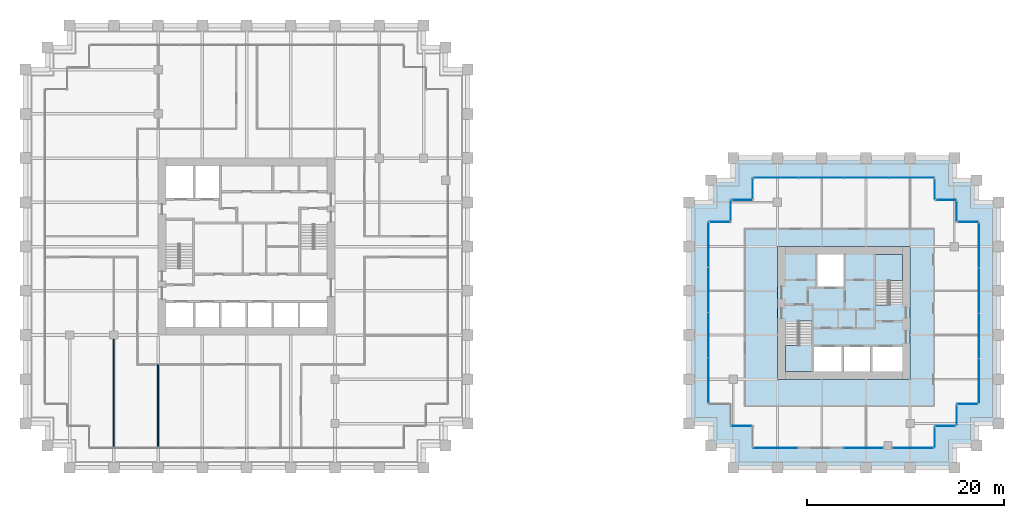
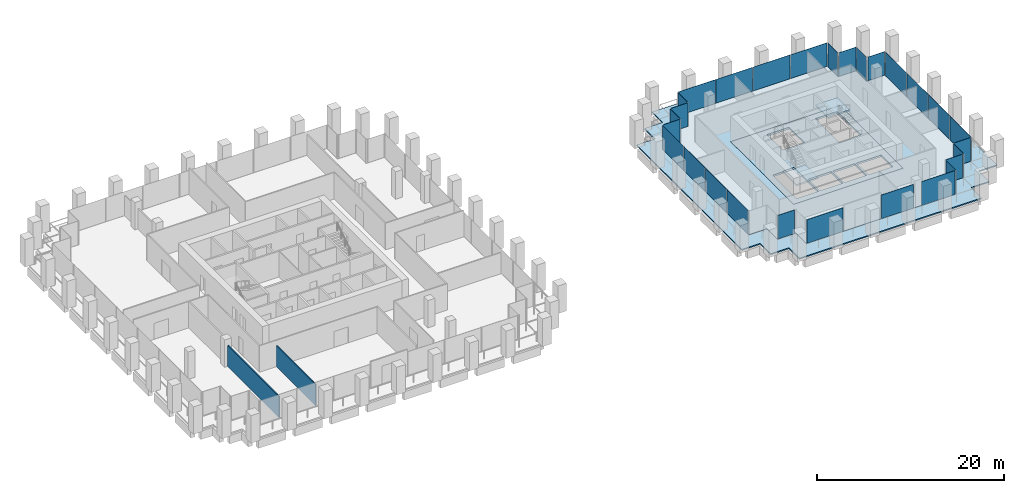
# One storey, part 49 of 54: 28 plates, 5 slabs, 2 walls, 21 elements without a shape of their own.
"""IFC4 building model written with IfcOpenShell, lengths in metres."""

from ifc_helpers import new_model, si_unit, direction, frame, frame_2d, origin, origin_2d, place, context, subcontext, project, spatial, polyline, rectangle, outline, extrude, material, layer, layer_set, type_object, element, aggregate, save


model = new_model("IFC4")

# Units and contexts
model_context = context("Model", 3, precision=1e-05, world=origin(), true_north=direction((0.0, 1.0)))
body_context = subcontext(model_context, "Body", "Model", "MODEL_VIEW")
ifc_project = project(units=[si_unit("LENGTHUNIT", "METRE"), si_unit("AREAUNIT", "SQUARE_METRE"), si_unit("VOLUMEUNIT", "CUBIC_METRE"), si_unit("PLANEANGLEUNIT", "RADIAN"), si_unit("MASSUNIT", "GRAM", prefix="KILO")], contexts=[model_context])

# Site, building, storey
site_placement = place(None, origin())
site = spatial("IfcSite", under=ifc_project, at=site_placement, CompositionType="ELEMENT")
building_placement = place(site_placement, origin())
building = spatial("IfcBuilding", under=site, at=building_placement, Name="Altepetl Exchange Towers", CompositionType="ELEMENT")
storey_placement = place(building_placement, frame((0.0, 0.0, 58.199951171875)))
storey = spatial("IfcBuildingStorey", under=building, at=storey_placement, Name="L13", CompositionType="ELEMENT", Elevation=58.199951171875)

# Slabs
ifc_material_1 = material(Name="Concrete C40/50", Category="concrete")
ifc_layer_1 = layer(ifc_material_1, 0.14990234375)
ifc_layer_set_1 = layer_set([ifc_layer_1], Name="Concrete C40/50")
slab_type_1 = type_object("IfcSlabType", Name="Composite floor slab 150", PredefinedType="FLOOR", material=ifc_layer_set_1)
slab_1_placement = place(storey_placement, frame((0.0, 0.0, -0.14990234375)))
element("IfcSlab", 1, at=slab_1_placement, inside=storey, type_object=slab_type_1, Name="slab:B:L13:strip0", PredefinedType="FLOOR", context=body_context, shape_type="SweptSolid", body=[
    extrude(outline(polyline([(98.75, 54.25), (98.75, 52.0), (96.5, 52.0), (96.5, 33.5), (98.75, 33.5), (98.75, 31.25), (101.0, 31.25), (101.0, 29.0), (119.5, 29.0), (119.5, 31.25), (121.75, 31.25), (121.75, 33.5), (124.0, 33.5), (124.0, 52.0), (121.75, 52.0), (121.75, 54.25), (119.5, 54.25), (119.5, 56.5), (101.0, 56.5), (101.0, 54.25), (98.75, 54.25)]), holes=[polyline([(117.0, 49.5), (117.0, 36.0), (103.5, 36.0), (103.5, 49.5), (117.0, 49.5)])]), origin(), (0.0, 0.0, 1.0), 0.14990234375),
])
ifc_layer_2 = layer(ifc_material_1, 0.25)
ifc_layer_set_2 = layer_set([ifc_layer_2], Name="Concrete C40/50")
slab_type_2 = type_object("IfcSlabType", Name="Core floor slab 250", PredefinedType="FLOOR", material=ifc_layer_set_2)
slab_2_placement = place(storey_placement, frame((0.0, 0.0, -0.25)))
element("IfcSlab", 2, at=slab_2_placement, inside=storey, type_object=slab_type_2, Name="slab:B:L13:core0", PredefinedType="FLOOR", context=body_context, shape_type="SweptSolid", body=[
    extrude(outline(polyline([(103.5, 36.0), (117.0, 36.0), (117.0, 49.5), (103.5, 49.5), (103.5, 36.0)]), holes=[polyline([(107.199951171875, 36.800048828125), (107.199951171875, 39.300048828125), (110.032958984375, 39.300048828125), (110.032958984375, 36.800048828125), (107.199951171875, 36.800048828125)]), polyline([(110.23291015625, 39.300048828125), (112.967041015625, 39.300048828125), (112.967041015625, 36.800048828125), (110.23291015625, 36.800048828125), (110.23291015625, 39.300048828125)]), polyline([(113.1669921875, 39.300048828125), (116.199951171875, 39.300048828125), (116.199951171875, 36.800048828125), (113.1669921875, 36.800048828125), (113.1669921875, 39.300048828125)]), polyline([(107.0, 36.800048828125), (104.300048828125, 36.800048828125), (104.300048828125, 41.85009765625), (105.60009765625, 41.85009765625), (105.60009765625, 41.948974609375), (107.0, 41.948974609375), (107.0, 36.800048828125)]), polyline([(116.199951171875, 48.699951171875), (116.199951171875, 43.64990234375), (114.89990234375, 43.64990234375), (114.89990234375, 43.551025390625), (113.5, 43.551025390625), (113.5, 48.699951171875), (116.199951171875, 48.699951171875)]), polyline([(107.532958984375, 48.699951171875), (110.26708984375, 48.699951171875), (110.26708984375, 45.39990234375), (107.532958984375, 45.39990234375), (107.532958984375, 48.699951171875)])]), origin(), (0.0, 0.0, 1.0), 0.25),
])

# Curtain wall, plate
ifc_material_2 = material(Name="Aluminium 6063-T6 glazing", Category="aluminium")
curtain_wall_type = type_object("IfcCurtainWallType", Name="Loggia glazing system", PredefinedType="NOTDEFINED", material=ifc_material_2)
curtain_wall_1_placement = place(storey_placement, origin())
curtain_wall_1 = element("IfcCurtainWall", 3, at=curtain_wall_1_placement, inside=storey, type_object=curtain_wall_type, Name="CW1 run", PredefinedType="NOTDEFINED")
ifc_material_3 = material(Name="Glass 6-16-6 low emissivity", Category="glass")
ifc_layer_3 = layer(ifc_material_3, 0.028076171875)
ifc_layer_set_3 = layer_set([ifc_layer_3], Name="Glass 6-16-6 low emissivity")
plate_type = type_object("IfcPlateType", Name="Glass panel 28 double glazed", PredefinedType="CURTAIN_PANEL", material=ifc_layer_set_3)
plate_1_placement = place(storey_placement, frame((97.66259765625, 52.0, 0.0), z_axis=(0.0, 0.0, 1.0), x_axis=(-1.0, 0.0, 0.0)))
plate_1 = element("IfcPlate", 4, at=plate_1_placement, type_object=plate_type, Name="GP1 panel", PredefinedType="CURTAIN_PANEL", context=body_context, shape_type="SweptSolid", body=[
    extrude(rectangle(XDim=2.054931640625, YDim=0.028076171875, at=origin_2d()), origin(), (0.0, 0.0, 1.0), 3.10009765625),
])
aggregate(curtain_wall_1, [plate_1])

# Curtain wall, plates
curtain_wall_2_placement = place(storey_placement, origin())
curtain_wall_2 = element("IfcCurtainWall", 5, at=curtain_wall_2_placement, inside=storey, type_object=curtain_wall_type, Name="CW1 run", PredefinedType="NOTDEFINED")
plate_2_placement = place(storey_placement, frame((96.5, 49.681884765625, 0.0), z_axis=(0.0, 0.0, 1.0), x_axis=(0.0, -1.0, 0.0)))
plate_2 = element("IfcPlate", 6, at=plate_2_placement, type_object=plate_type, Name="GP1 panel", PredefinedType="CURTAIN_PANEL", context=body_context, shape_type="SweptSolid", body=[
    extrude(rectangle(XDim=4.516357421875, YDim=0.028076171875, at=origin_2d()), origin(), (0.0, 0.0, 1.0), 3.10009765625),
])
plate_3_placement = place(storey_placement, frame((96.5, 45.090576171875, 0.0), z_axis=(0.0, 0.0, 1.0), x_axis=(0.0, -1.0, 0.0)))
plate_3 = element("IfcPlate", 7, at=plate_3_placement, type_object=plate_type, Name="GP1 panel", PredefinedType="CURTAIN_PANEL", context=body_context, shape_type="SweptSolid", body=[
    extrude(rectangle(XDim=4.546142578125, YDim=0.028076171875, at=origin_2d()), origin(), (0.0, 0.0, 1.0), 3.10009765625),
])
plate_4_placement = place(storey_placement, frame((96.5, 40.484375, 0.0), z_axis=(0.0, 0.0, 1.0), x_axis=(0.0, -1.0, 0.0)))
plate_4 = element("IfcPlate", 8, at=plate_4_placement, type_object=plate_type, Name="GP1 panel", PredefinedType="CURTAIN_PANEL", context=body_context, shape_type="SweptSolid", body=[
    extrude(rectangle(XDim=4.546142578125, YDim=0.028076171875, at=origin_2d()), origin(), (0.0, 0.0, 1.0), 3.10009765625),
])
plate_5_placement = place(storey_placement, frame((96.5, 35.89306640625, 0.0), z_axis=(0.0, 0.0, 1.0), x_axis=(0.0, -1.0, 0.0)))
plate_5 = element("IfcPlate", 9, at=plate_5_placement, type_object=plate_type, Name="GP1 panel", PredefinedType="CURTAIN_PANEL", context=body_context, shape_type="SweptSolid", body=[
    extrude(rectangle(XDim=4.516357421875, YDim=0.028076171875, at=origin_2d()), origin(), (0.0, 0.0, 1.0), 3.10009765625),
])
aggregate(curtain_wall_2, [plate_2, plate_3, plate_4, plate_5])

# Curtain wall, plate
curtain_wall_3_placement = place(storey_placement, origin())
curtain_wall_3 = element("IfcCurtainWall", 10, at=curtain_wall_3_placement, inside=storey, type_object=curtain_wall_type, Name="CW1 run", PredefinedType="NOTDEFINED")
plate_6_placement = place(storey_placement, frame((99.83740234375, 31.25, 0.0)))
plate_6 = element("IfcPlate", 11, at=plate_6_placement, type_object=plate_type, Name="GP1 panel", PredefinedType="CURTAIN_PANEL", context=body_context, shape_type="SweptSolid", body=[
    extrude(rectangle(XDim=2.054931640625, YDim=0.028076171875, at=origin_2d()), origin(), (0.0, 0.0, 1.0), 3.10009765625),
])
aggregate(curtain_wall_3, [plate_6])

curtain_wall_4_placement = place(storey_placement, origin())
curtain_wall_4 = element("IfcCurtainWall", 12, at=curtain_wall_4_placement, inside=storey, type_object=curtain_wall_type, Name="CW1 run", PredefinedType="NOTDEFINED")
plate_7_placement = place(storey_placement, frame((103.30322265625, 29.0, 0.0)))
plate_7 = element("IfcPlate", 13, at=plate_7_placement, type_object=plate_type, Name="GP1 panel", PredefinedType="CURTAIN_PANEL", context=body_context, shape_type="SweptSolid", body=[
    extrude(rectangle(XDim=4.486328125, YDim=0.028076171875, at=origin_2d()), origin(), (0.0, 0.0, 1.0), 3.10009765625),
])
aggregate(curtain_wall_4, [plate_7])

curtain_wall_5_placement = place(storey_placement, origin())
curtain_wall_5 = element("IfcCurtainWall", 14, at=curtain_wall_5_placement, inside=storey, type_object=curtain_wall_type, Name="CW1 run", PredefinedType="NOTDEFINED")
plate_8_placement = place(storey_placement, frame((112.2587890625, 29.0, 0.0)))
plate_8 = element("IfcPlate", 15, at=plate_8_placement, type_object=plate_type, Name="GP1 panel", PredefinedType="CURTAIN_PANEL", context=body_context, shape_type="SweptSolid", body=[
    extrude(rectangle(XDim=3.972412109375, YDim=0.028076171875, at=origin_2d()), origin(), (0.0, 0.0, 1.0), 3.10009765625),
])
aggregate(curtain_wall_5, [plate_8])

curtain_wall_6_placement = place(storey_placement, origin())
curtain_wall_6 = element("IfcCurtainWall", 16, at=curtain_wall_6_placement, inside=storey, type_object=curtain_wall_type, Name="CW1 run", PredefinedType="NOTDEFINED")
plate_9_placement = place(storey_placement, frame((117.31005859375, 29.0, 0.0)))
plate_9 = element("IfcPlate", 17, at=plate_9_placement, type_object=plate_type, Name="GP1 panel", PredefinedType="CURTAIN_PANEL", context=body_context, shape_type="SweptSolid", body=[
    extrude(rectangle(XDim=4.110107421875, YDim=0.028076171875, at=origin_2d()), origin(), (0.0, 0.0, 1.0), 3.10009765625),
])
aggregate(curtain_wall_6, [plate_9])

curtain_wall_7_placement = place(storey_placement, origin())
curtain_wall_7 = element("IfcCurtainWall", 18, at=curtain_wall_7_placement, inside=storey, type_object=curtain_wall_type, Name="CW1 run", PredefinedType="NOTDEFINED")
plate_10_placement = place(storey_placement, frame((119.5, 30.08740234375, 0.0), z_axis=(0.0, 0.0, 1.0), x_axis=(0.0, 1.0, 0.0)))
plate_10 = element("IfcPlate", 19, at=plate_10_placement, type_object=plate_type, Name="GP1 panel", PredefinedType="CURTAIN_PANEL", context=body_context, shape_type="SweptSolid", body=[
    extrude(rectangle(XDim=2.054931640625, YDim=0.028076171875, at=origin_2d()), origin(), (0.0, 0.0, 1.0), 3.10009765625),
])
aggregate(curtain_wall_7, [plate_10])

curtain_wall_8_placement = place(storey_placement, origin())
curtain_wall_8 = element("IfcCurtainWall", 20, at=curtain_wall_8_placement, inside=storey, type_object=curtain_wall_type, Name="CW1 run", PredefinedType="NOTDEFINED")
plate_11_placement = place(storey_placement, frame((120.58740234375, 31.25, 0.0)))
plate_11 = element("IfcPlate", 21, at=plate_11_placement, type_object=plate_type, Name="GP1 panel", PredefinedType="CURTAIN_PANEL", context=body_context, shape_type="SweptSolid", body=[
    extrude(rectangle(XDim=2.054931640625, YDim=0.028076171875, at=origin_2d()), origin(), (0.0, 0.0, 1.0), 3.10009765625),
])
aggregate(curtain_wall_8, [plate_11])

curtain_wall_9_placement = place(storey_placement, origin())
curtain_wall_9 = element("IfcCurtainWall", 22, at=curtain_wall_9_placement, inside=storey, type_object=curtain_wall_type, Name="CW1 run", PredefinedType="NOTDEFINED")
plate_12_placement = place(storey_placement, frame((121.75, 32.33740234375, 0.0), z_axis=(0.0, 0.0, 1.0), x_axis=(0.0, 1.0, 0.0)))
plate_12 = element("IfcPlate", 23, at=plate_12_placement, type_object=plate_type, Name="GP1 panel", PredefinedType="CURTAIN_PANEL", context=body_context, shape_type="SweptSolid", body=[
    extrude(rectangle(XDim=2.054931640625, YDim=0.028076171875, at=origin_2d()), origin(), (0.0, 0.0, 1.0), 3.10009765625),
])
aggregate(curtain_wall_9, [plate_12])

curtain_wall_10_placement = place(storey_placement, origin())
curtain_wall_10 = element("IfcCurtainWall", 24, at=curtain_wall_10_placement, inside=storey, type_object=curtain_wall_type, Name="CW1 run", PredefinedType="NOTDEFINED")
plate_13_placement = place(storey_placement, frame((122.83740234375, 33.5, 0.0)))
plate_13 = element("IfcPlate", 25, at=plate_13_placement, type_object=plate_type, Name="GP1 panel", PredefinedType="CURTAIN_PANEL", context=body_context, shape_type="SweptSolid", body=[
    extrude(rectangle(XDim=2.054931640625, YDim=0.028076171875, at=origin_2d()), origin(), (0.0, 0.0, 1.0), 3.10009765625),
])
aggregate(curtain_wall_10, [plate_13])

# Curtain wall, plates
curtain_wall_11_placement = place(storey_placement, origin())
curtain_wall_11 = element("IfcCurtainWall", 26, at=curtain_wall_11_placement, inside=storey, type_object=curtain_wall_type, Name="CW1 run", PredefinedType="NOTDEFINED")
plate_14_placement = place(storey_placement, frame((124.0, 35.818115234375, 0.0), z_axis=(0.0, 0.0, 1.0), x_axis=(0.0, 1.0, 0.0)))
plate_14 = element("IfcPlate", 27, at=plate_14_placement, type_object=plate_type, Name="GP1 panel", PredefinedType="CURTAIN_PANEL", context=body_context, shape_type="SweptSolid", body=[
    extrude(rectangle(XDim=4.516357421875, YDim=0.028076171875, at=origin_2d()), origin(), (0.0, 0.0, 1.0), 3.10009765625),
])
plate_15_placement = place(storey_placement, frame((124.0, 40.409423828125, 0.0), z_axis=(0.0, 0.0, 1.0), x_axis=(0.0, 1.0, 0.0)))
plate_15 = element("IfcPlate", 28, at=plate_15_placement, type_object=plate_type, Name="GP1 panel", PredefinedType="CURTAIN_PANEL", context=body_context, shape_type="SweptSolid", body=[
    extrude(rectangle(XDim=4.546142578125, YDim=0.028076171875, at=origin_2d()), origin(), (0.0, 0.0, 1.0), 3.10009765625),
])
plate_16_placement = place(storey_placement, frame((124.0, 45.015625, 0.0), z_axis=(0.0, 0.0, 1.0), x_axis=(0.0, 1.0, 0.0)))
plate_16 = element("IfcPlate", 29, at=plate_16_placement, type_object=plate_type, Name="GP1 panel", PredefinedType="CURTAIN_PANEL", context=body_context, shape_type="SweptSolid", body=[
    extrude(rectangle(XDim=4.546142578125, YDim=0.028076171875, at=origin_2d()), origin(), (0.0, 0.0, 1.0), 3.10009765625),
])
plate_17_placement = place(storey_placement, frame((124.0, 49.60693359375, 0.0), z_axis=(0.0, 0.0, 1.0), x_axis=(0.0, 1.0, 0.0)))
plate_17 = element("IfcPlate", 30, at=plate_17_placement, type_object=plate_type, Name="GP1 panel", PredefinedType="CURTAIN_PANEL", context=body_context, shape_type="SweptSolid", body=[
    extrude(rectangle(XDim=4.516357421875, YDim=0.028076171875, at=origin_2d()), origin(), (0.0, 0.0, 1.0), 3.10009765625),
])
aggregate(curtain_wall_11, [plate_14, plate_15, plate_16, plate_17])

# Curtain wall, plate
curtain_wall_12_placement = place(storey_placement, origin())
curtain_wall_12 = element("IfcCurtainWall", 31, at=curtain_wall_12_placement, inside=storey, type_object=curtain_wall_type, Name="CW1 run", PredefinedType="NOTDEFINED")
plate_18_placement = place(storey_placement, frame((122.91259765625, 52.0, 0.0), z_axis=(0.0, 0.0, 1.0), x_axis=(-1.0, 0.0, 0.0)))
plate_18 = element("IfcPlate", 32, at=plate_18_placement, type_object=plate_type, Name="GP1 panel", PredefinedType="CURTAIN_PANEL", context=body_context, shape_type="SweptSolid", body=[
    extrude(rectangle(XDim=2.054931640625, YDim=0.028076171875, at=origin_2d()), origin(), (0.0, 0.0, 1.0), 3.10009765625),
])
aggregate(curtain_wall_12, [plate_18])

curtain_wall_13_placement = place(storey_placement, origin())
curtain_wall_13 = element("IfcCurtainWall", 33, at=curtain_wall_13_placement, inside=storey, type_object=curtain_wall_type, Name="CW1 run", PredefinedType="NOTDEFINED")
plate_19_placement = place(storey_placement, frame((121.75, 53.08740234375, 0.0), z_axis=(0.0, 0.0, 1.0), x_axis=(0.0, 1.0, 0.0)))
plate_19 = element("IfcPlate", 34, at=plate_19_placement, type_object=plate_type, Name="GP1 panel", PredefinedType="CURTAIN_PANEL", context=body_context, shape_type="SweptSolid", body=[
    extrude(rectangle(XDim=2.054931640625, YDim=0.028076171875, at=origin_2d()), origin(), (0.0, 0.0, 1.0), 3.10009765625),
])
aggregate(curtain_wall_13, [plate_19])

curtain_wall_14_placement = place(storey_placement, origin())
curtain_wall_14 = element("IfcCurtainWall", 35, at=curtain_wall_14_placement, inside=storey, type_object=curtain_wall_type, Name="CW1 run", PredefinedType="NOTDEFINED")
plate_20_placement = place(storey_placement, frame((120.66259765625, 54.25, 0.0), z_axis=(0.0, 0.0, 1.0), x_axis=(-1.0, 0.0, 0.0)))
plate_20 = element("IfcPlate", 36, at=plate_20_placement, type_object=plate_type, Name="GP1 panel", PredefinedType="CURTAIN_PANEL", context=body_context, shape_type="SweptSolid", body=[
    extrude(rectangle(XDim=2.054931640625, YDim=0.028076171875, at=origin_2d()), origin(), (0.0, 0.0, 1.0), 3.10009765625),
])
aggregate(curtain_wall_14, [plate_20])

curtain_wall_15_placement = place(storey_placement, origin())
curtain_wall_15 = element("IfcCurtainWall", 37, at=curtain_wall_15_placement, inside=storey, type_object=curtain_wall_type, Name="CW1 run", PredefinedType="NOTDEFINED")
plate_21_placement = place(storey_placement, frame((119.5, 55.33740234375, 0.0), z_axis=(0.0, 0.0, 1.0), x_axis=(0.0, 1.0, 0.0)))
plate_21 = element("IfcPlate", 38, at=plate_21_placement, type_object=plate_type, Name="GP1 panel", PredefinedType="CURTAIN_PANEL", context=body_context, shape_type="SweptSolid", body=[
    extrude(rectangle(XDim=2.054931640625, YDim=0.028076171875, at=origin_2d()), origin(), (0.0, 0.0, 1.0), 3.10009765625),
])
aggregate(curtain_wall_15, [plate_21])

# Curtain wall, plates
curtain_wall_16_placement = place(storey_placement, origin())
curtain_wall_16 = element("IfcCurtainWall", 39, at=curtain_wall_16_placement, inside=storey, type_object=curtain_wall_type, Name="CW1 run", PredefinedType="NOTDEFINED")
plate_22_placement = place(storey_placement, frame((117.181884765625, 56.5, 0.0), z_axis=(0.0, 0.0, 1.0), x_axis=(-1.0, 0.0, 0.0)))
plate_22 = element("IfcPlate", 40, at=plate_22_placement, type_object=plate_type, Name="GP1 panel", PredefinedType="CURTAIN_PANEL", context=body_context, shape_type="SweptSolid", body=[
    extrude(rectangle(XDim=4.516357421875, YDim=0.028076171875, at=origin_2d()), origin(), (0.0, 0.0, 1.0), 3.10009765625),
])
plate_23_placement = place(storey_placement, frame((112.590576171875, 56.5, 0.0), z_axis=(0.0, 0.0, 1.0), x_axis=(-1.0, 0.0, 0.0)))
plate_23 = element("IfcPlate", 41, at=plate_23_placement, type_object=plate_type, Name="GP1 panel", PredefinedType="CURTAIN_PANEL", context=body_context, shape_type="SweptSolid", body=[
    extrude(rectangle(XDim=4.546142578125, YDim=0.028076171875, at=origin_2d()), origin(), (0.0, 0.0, 1.0), 3.10009765625),
])
plate_24_placement = place(storey_placement, frame((107.984375, 56.5, 0.0), z_axis=(0.0, 0.0, 1.0), x_axis=(-1.0, 0.0, 0.0)))
plate_24 = element("IfcPlate", 42, at=plate_24_placement, type_object=plate_type, Name="GP1 panel", PredefinedType="CURTAIN_PANEL", context=body_context, shape_type="SweptSolid", body=[
    extrude(rectangle(XDim=4.546142578125, YDim=0.028076171875, at=origin_2d()), origin(), (0.0, 0.0, 1.0), 3.10009765625),
])
plate_25_placement = place(storey_placement, frame((103.39306640625, 56.5, 0.0), z_axis=(0.0, 0.0, 1.0), x_axis=(-1.0, 0.0, 0.0)))
plate_25 = element("IfcPlate", 43, at=plate_25_placement, type_object=plate_type, Name="GP1 panel", PredefinedType="CURTAIN_PANEL", context=body_context, shape_type="SweptSolid", body=[
    extrude(rectangle(XDim=4.516357421875, YDim=0.028076171875, at=origin_2d()), origin(), (0.0, 0.0, 1.0), 3.10009765625),
])
aggregate(curtain_wall_16, [plate_22, plate_23, plate_24, plate_25])

# Curtain wall, plate
curtain_wall_17_placement = place(storey_placement, origin())
curtain_wall_17 = element("IfcCurtainWall", 44, at=curtain_wall_17_placement, inside=storey, type_object=curtain_wall_type, Name="CW1 run", PredefinedType="NOTDEFINED")
plate_26_placement = place(storey_placement, frame((101.0, 55.41259765625, 0.0), z_axis=(0.0, 0.0, 1.0), x_axis=(0.0, -1.0, 0.0)))
plate_26 = element("IfcPlate", 45, at=plate_26_placement, type_object=plate_type, Name="GP1 panel", PredefinedType="CURTAIN_PANEL", context=body_context, shape_type="SweptSolid", body=[
    extrude(rectangle(XDim=2.054931640625, YDim=0.028076171875, at=origin_2d()), origin(), (0.0, 0.0, 1.0), 3.10009765625),
])
aggregate(curtain_wall_17, [plate_26])

curtain_wall_18_placement = place(storey_placement, origin())
curtain_wall_18 = element("IfcCurtainWall", 46, at=curtain_wall_18_placement, inside=storey, type_object=curtain_wall_type, Name="CW1 run", PredefinedType="NOTDEFINED")
plate_27_placement = place(storey_placement, frame((99.91259765625, 54.25, 0.0), z_axis=(0.0, 0.0, 1.0), x_axis=(-1.0, 0.0, 0.0)))
plate_27 = element("IfcPlate", 47, at=plate_27_placement, type_object=plate_type, Name="GP1 panel", PredefinedType="CURTAIN_PANEL", context=body_context, shape_type="SweptSolid", body=[
    extrude(rectangle(XDim=2.054931640625, YDim=0.028076171875, at=origin_2d()), origin(), (0.0, 0.0, 1.0), 3.10009765625),
])
aggregate(curtain_wall_18, [plate_27])

curtain_wall_19_placement = place(storey_placement, origin())
curtain_wall_19 = element("IfcCurtainWall", 48, at=curtain_wall_19_placement, inside=storey, type_object=curtain_wall_type, Name="CW1 run", PredefinedType="NOTDEFINED")
plate_28_placement = place(storey_placement, frame((98.75, 53.16259765625, 0.0), z_axis=(0.0, 0.0, 1.0), x_axis=(0.0, -1.0, 0.0)))
plate_28 = element("IfcPlate", 49, at=plate_28_placement, type_object=plate_type, Name="GP1 panel", PredefinedType="CURTAIN_PANEL", context=body_context, shape_type="SweptSolid", body=[
    extrude(rectangle(XDim=2.054931640625, YDim=0.028076171875, at=origin_2d()), origin(), (0.0, 0.0, 1.0), 3.10009765625),
])
aggregate(curtain_wall_19, [plate_28])

# Slab
ifc_layer_4 = layer(ifc_material_1, 0.14990234375)
ifc_layer_set_4 = layer_set([ifc_layer_4], Name="Concrete C40/50")
slab_type_3 = type_object("IfcSlabType", Name="Loggia slab 150", PredefinedType="FLOOR", material=ifc_layer_set_4)
slab_3_placement = place(storey_placement, frame((0.0, 0.0, -0.14990234375)))
element("IfcSlab", 50, at=slab_3_placement, inside=storey, type_object=slab_type_3, Name="slab:B:L13:loggia0", PredefinedType="FLOOR", context=body_context, shape_type="SweptSolid", body=[
    extrude(outline(polyline([(96.75, 54.0), (94.5, 54.0), (94.5, 36.0), (94.5, 31.5), (96.75, 31.5), (96.75, 29.25), (99.0, 29.25), (99.0, 27.0), (117.0, 27.0), (121.5, 27.0), (121.5, 29.25), (123.75, 29.25), (123.75, 31.5), (126.0, 31.5), (126.0, 49.5), (126.0, 54.0), (123.75, 54.0), (123.75, 56.25), (121.5, 56.25), (121.5, 58.5), (103.5, 58.5), (99.0, 58.5), (99.0, 56.25), (96.75, 56.25), (96.75, 54.0)]), holes=[polyline([(96.5, 52.0), (98.75, 52.0), (98.75, 54.25), (101.0, 54.25), (101.0, 56.5), (119.5, 56.5), (119.5, 54.25), (121.75, 54.25), (121.75, 52.0), (124.0, 52.0), (124.0, 33.5), (121.75, 33.5), (121.75, 31.25), (119.5, 31.25), (119.5, 29.0), (101.0, 29.0), (101.0, 31.25), (98.75, 31.25), (98.75, 33.5), (96.5, 33.5), (96.5, 52.0)])]), origin(), (0.0, 0.0, 1.0), 0.14990234375),
])

# Stair, slab
stair_type = type_object("IfcStairType", Name="Exit stair 1300 flights dogleg", PredefinedType="HALF_TURN_STAIR", material=ifc_material_1)
stair_1_placement = place(storey_placement, origin())
stair_1 = element("IfcStair", 51, at=stair_1_placement, inside=storey, type_object=stair_type, Name="Exit stair 1", PredefinedType="HALF_TURN_STAIR")
ifc_layer_5 = layer(ifc_material_1, 0.199951171875)
ifc_layer_set_5 = layer_set([ifc_layer_5], Name="Concrete C40/50")
slab_type_4 = type_object("IfcSlabType", Name="Stair landing 200 reinforced concrete", PredefinedType="LANDING", material=ifc_layer_set_5)
slab_4_placement = place(storey_placement, frame((0.0, 0.0, 1.60009765625)))
slab_4 = element("IfcSlab", 52, at=slab_4_placement, type_object=slab_type_4, Name="ST-B1c landing 1", PredefinedType="LANDING", context=body_context, shape_type="SweptSolid", body=[
    extrude(outline(polyline([(107.0, 36.800048828125), (104.300048828125, 36.800048828125), (104.300048828125, 39.429931640625), (104.300048828125, 39.4306640625), (105.60009765625, 39.4306640625), (105.60009765625, 39.429931640625), (105.699951171875, 39.429931640625), (105.699951171875, 39.530029296875), (107.0, 39.530029296875), (107.0, 39.429931640625), (107.0, 36.800048828125)])), origin(), (0.0, 0.0, 1.0), 0.199951171875),
])
aggregate(stair_1, [slab_4])

stair_2_placement = place(storey_placement, origin())
stair_2 = element("IfcStair", 53, at=stair_2_placement, inside=storey, type_object=stair_type, Name="Exit stair 2", PredefinedType="HALF_TURN_STAIR")
slab_5_placement = place(storey_placement, frame((0.0, 0.0, 1.60009765625)))
slab_5 = element("IfcSlab", 54, at=slab_5_placement, type_object=slab_type_4, Name="ST-B2c landing 1", PredefinedType="LANDING", context=body_context, shape_type="SweptSolid", body=[
    extrude(outline(polyline([(114.800048828125, 45.969970703125), (113.5, 45.969970703125), (113.5, 46.070068359375), (113.5, 48.699951171875), (116.199951171875, 48.699951171875), (116.199951171875, 46.070068359375), (116.199951171875, 46.0693359375), (114.89990234375, 46.0693359375), (114.89990234375, 46.070068359375), (114.800048828125, 46.070068359375), (114.800048828125, 45.969970703125)])), origin(), (0.0, 0.0, 1.0), 0.199951171875),
])
aggregate(stair_2, [slab_5])

# Walls
ifc_material_4 = material(Name="Gypsum board on steel studs", Category="steel")
ifc_layer_6 = layer(ifc_material_4, 0.125)
ifc_layer_set_6 = layer_set([ifc_layer_6], Name="Gypsum board on steel studs")
wall_type = type_object("IfcWallType", Name="Partition 125 gypsum board on steel studs", PredefinedType="PARTITIONING", material=ifc_layer_set_6)
wall_1_placement = place(storey_placement, frame((36.0, 29.10009765625, 0.0), z_axis=(0.0, 0.0, 1.0), x_axis=(0.0, 1.0, 0.0)))
element("IfcWall", 55, at=wall_1_placement, inside=storey, type_object=wall_type, Name="wall:A:L13:P10", PredefinedType="PARTITIONING", context=body_context, shape_type="SweptSolid", body=[
    extrude(rectangle(XDim=10.974853515625, YDim=0.125, at=frame_2d((5.4873046875, 0.0))), origin(), (0.0, 0.0, 1.0), 2.76611328125),
])
wall_2_placement = place(storey_placement, frame((40.5, 29.10009765625, 0.0), z_axis=(0.0, 0.0, 1.0), x_axis=(0.0, 1.0, 0.0)))
element("IfcWall", 56, at=wall_2_placement, inside=storey, type_object=wall_type, Name="wall:A:L13:P14", PredefinedType="PARTITIONING", context=body_context, shape_type="SweptSolid", body=[
    extrude(rectangle(XDim=8.39990234375, YDim=0.125, at=frame_2d((4.199951171875, 0.0))), origin(), (0.0, 0.0, 1.0), 2.76611328125),
])

save(model, "model.ifc")
